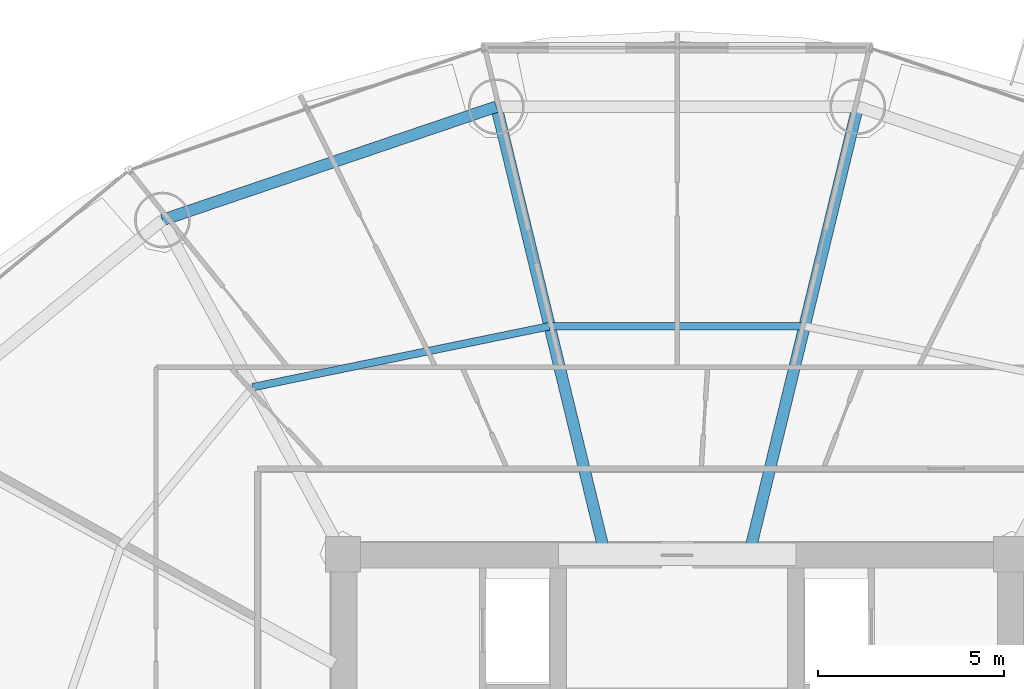
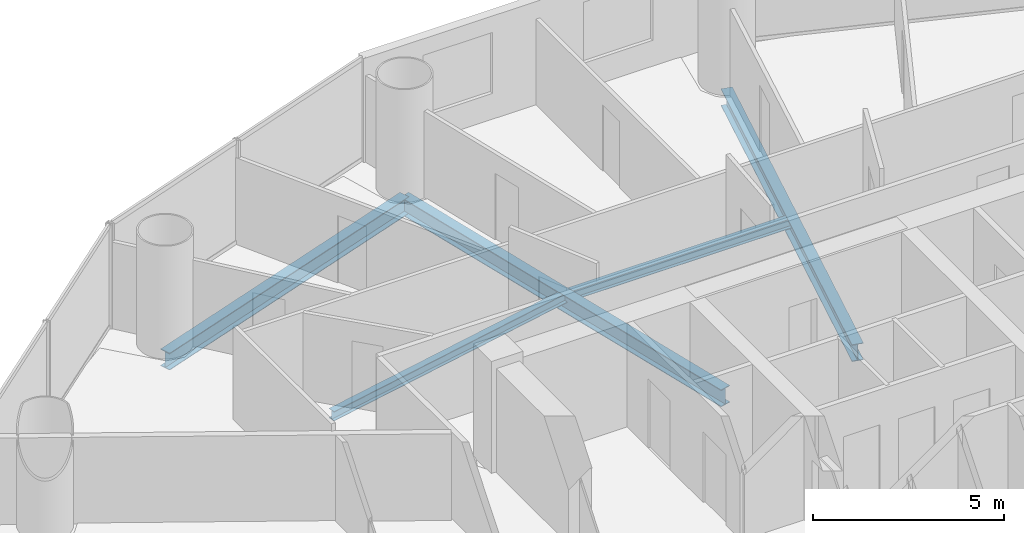
# One storey, part 17 of 29: 5 beams.
"""IFC4 building model written with IfcOpenShell, lengths in metres."""

from ifc_helpers import new_model, si_unit, direction, frame, origin, origin_2d, place, context, subcontext, project, spatial, i_section, extrude, material, material_profile, profile_set, type_object, element, save


model = new_model("IFC4")

# Units and contexts
model_context = context("Model", 3, precision=1e-05, world=origin(), true_north=direction((-0.2419218956, 0.970295726276)))
body_context = subcontext(model_context, "Body", "Model", "MODEL_VIEW")
ifc_project = project(units=[si_unit("LENGTHUNIT", "METRE"), si_unit("AREAUNIT", "SQUARE_METRE"), si_unit("VOLUMEUNIT", "CUBIC_METRE"), si_unit("PLANEANGLEUNIT", "RADIAN"), si_unit("MASSUNIT", "GRAM", prefix="KILO")], contexts=[model_context])

# Site, building, storey
site_placement = place(None, origin())
site = spatial("IfcSite", under=ifc_project, at=site_placement, CompositionType="ELEMENT")
building_placement = place(site_placement, origin())
building = spatial("IfcBuilding", under=site, at=building_placement, Name="Cobrevalo Terracotta Tower", CompositionType="ELEMENT")
storey_placement = place(building_placement, frame((0.0, 0.0, 94.199951171875)))
storey = spatial("IfcBuildingStorey", under=building, at=storey_placement, Name="L24", CompositionType="ELEMENT", Elevation=94.199951171875)

# Beams
ifc_material = material(Name="Steel S355", Category="steel")
ifc_material_profile_1 = material_profile(ifc_material, i_section(OverallWidth=0.31201171875, OverallDepth=0.54296875, WebThickness=0.0126953125, FlangeThickness=0.020263671875, at=origin_2d()), Name="W 530x150")
ifc_profile_set_1 = profile_set([ifc_material_profile_1], Name="Steel S355")
beam_type_1 = type_object("IfcBeamType", Name="Structural Beam W 530x150 (Steel S355)", PredefinedType="BEAM", material=ifc_profile_set_1)
for number, where, z_axis, x_axis, name in (
    (1, (42.867431640625, 46.857177734375, -0.54638671875), (-0.235827379387, -0.971794961467, 0.0), (0.971794961467, -0.235827379387, 0.0), "L24 radial floor girder 04"),
    (2, (33.132568359375, 46.857177734375, -0.54638671875), (0.235827379387, -0.971794961467, 0.0), (0.971794961467, 0.235827379387, 0.0), "L24 radial floor girder 05"),
):
    element("IfcBeam", number, at=place(storey_placement, frame(where, z_axis=z_axis, x_axis=x_axis)), inside=storey, type_object=beam_type_1, Name=name, PredefinedType="BEAM", context=body_context, shape_type="SweptSolid", body=[
        extrude(i_section(OverallWidth=0.31201171875, OverallDepth=0.54296875, WebThickness=0.0126953125, FlangeThickness=0.020263671875, at=origin_2d()), origin(), (0.0, 0.0, 1.0), 12.17041015625),
    ])
ifc_material_profile_2 = material_profile(ifc_material, i_section(OverallWidth=0.2041015625, OverallDepth=0.305908203125, WebThickness=0.008544921875, FlangeThickness=0.0146484375, at=origin_2d()), Name="W 310x67")
ifc_profile_set_2 = profile_set([ifc_material_profile_2], Name="Steel S355")
beam_type_2 = type_object("IfcBeamType", Name="Structural Joist W 310x67 (Steel S355)", PredefinedType="JOIST", material=ifc_profile_set_2)
beam_1_placement = place(storey_placement, frame((41.432373046875, 40.943603515625, -0.427978515625), z_axis=(-1.0, 0.0, 0.0), x_axis=(0.0, -1.0, 0.0)))
element("IfcBeam", 3, at=beam_1_placement, inside=storey, type_object=beam_type_2, Name="L24 circumferential secondary floor joist 04", PredefinedType="JOIST", context=body_context, shape_type="SweptSolid", body=[
    extrude(i_section(OverallWidth=0.2041015625, OverallDepth=0.305908203125, WebThickness=0.008544921875, FlangeThickness=0.0146484375, at=origin_2d()), origin(), (0.0, 0.0, 1.0), 6.86474609375),
])
beam_2_placement = place(storey_placement, frame((34.567626953125, 40.943603515625, -0.427978515625), z_axis=(-0.979574469315, -0.201081722357, 0.0), x_axis=(0.201081722357, -0.979574469315, 0.0)))
element("IfcBeam", 4, at=beam_2_placement, inside=storey, type_object=beam_type_2, Name="L24 circumferential secondary floor joist 05", PredefinedType="JOIST", context=body_context, shape_type="SweptSolid", body=[
    extrude(i_section(OverallWidth=0.2041015625, OverallDepth=0.305908203125, WebThickness=0.008544921875, FlangeThickness=0.0146484375, at=origin_2d()), origin(), (0.0, 0.0, 1.0), 8.1650390625),
])
ifc_material_profile_3 = material_profile(ifc_material, i_section(OverallWidth=0.31201171875, OverallDepth=0.54296875, WebThickness=0.0126953125, FlangeThickness=0.020263671875, at=origin_2d()), Name="W 530x150")
ifc_profile_set_3 = profile_set([ifc_material_profile_3], Name="Steel S355")
beam_type_3 = type_object("IfcBeamType", Name="Structural Spandrel W 530x150 (Steel S355)", PredefinedType="SPANDREL", material=ifc_profile_set_3)
beam_3_placement = place(storey_placement, frame((33.132568359375, 46.857177734375, -0.54638671875), z_axis=(-0.946910528816, -0.32149720126, 0.0), x_axis=(0.32149720126, -0.946910528816, 0.0)))
element("IfcBeam", 5, at=beam_3_placement, inside=storey, type_object=beam_type_3, Name="L24 perimeter ring spandrel 05", PredefinedType="SPANDREL", context=body_context, shape_type="SweptSolid", body=[
    extrude(i_section(OverallWidth=0.31201171875, OverallDepth=0.54296875, WebThickness=0.0126953125, FlangeThickness=0.020263671875, at=origin_2d()), origin(), (0.0, 0.0, 1.0), 9.498291015625),
])

save(model, "model.ifc")
